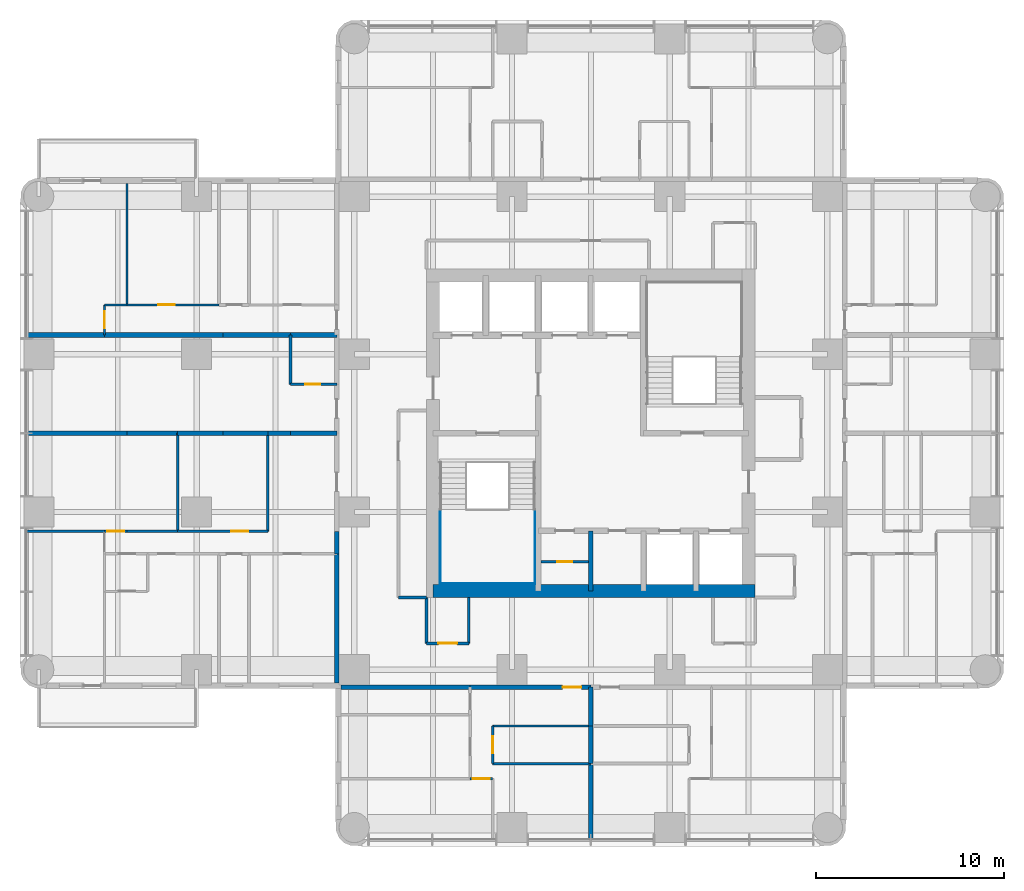
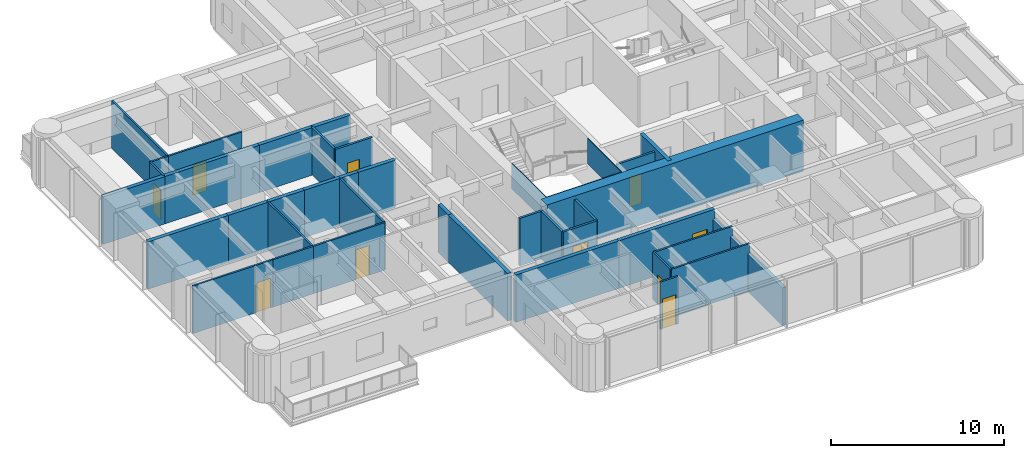
# One storey, part 5 of 11: 43 walls, 10 doors, 10 openings.
"""IFC4 building model written with IfcOpenShell, lengths in metres."""

from ifc_helpers import new_model, si_unit, direction, frame, frame_2d, origin, place, context, subcontext, project, spatial, rectangle, extrude, material, layer, layer_set, type_object, element, fill, save


model = new_model("IFC4")

# Units and contexts
model_context = context("Model", 3, precision=1e-05, world=origin(), true_north=direction((0.0, 1.0)))
body_context = subcontext(model_context, "Body", "Model", "MODEL_VIEW")
ifc_project = project(units=[si_unit("LENGTHUNIT", "METRE"), si_unit("AREAUNIT", "SQUARE_METRE"), si_unit("VOLUMEUNIT", "CUBIC_METRE"), si_unit("PLANEANGLEUNIT", "RADIAN"), si_unit("MASSUNIT", "GRAM", prefix="KILO")], contexts=[model_context])

# Site, building, storey
site_placement = place(None, origin())
site = spatial("IfcSite", under=ifc_project, at=site_placement, CompositionType="ELEMENT")
building_placement = place(site_placement, origin())
building = spatial("IfcBuilding", under=site, at=building_placement, Name="Torre Alcanfor", CompositionType="ELEMENT")
storey_placement = place(building_placement, frame((0.0, 0.0, 244.5)))
storey = spatial("IfcBuildingStorey", under=building, at=storey_placement, Name="L64", CompositionType="ELEMENT", Elevation=244.5)

# Wall, opening, door
ifc_material_1 = material(Name="Concrete block masonry, hollow blocks NMX-C-404 9 MPa", Category="masonry")
ifc_layer_1 = layer(ifc_material_1, 0.25)
ifc_layer_set_1 = layer_set([ifc_layer_1], Name="Apartment entrance wall 250 EI 60")
wall_type_1 = type_object("IfcWallType", Name="Apartment entrance wall 250 EI 60", PredefinedType="PARTITIONING", material=ifc_layer_set_1)
wall_1_placement = place(storey_placement, frame((29.39990234375, 15.875, 0.0), z_axis=(0.0, 0.0, 1.0), x_axis=(-1.0, 0.0, 0.0)))
wall_1 = element("IfcWall", 1, at=wall_1_placement, inside=storey, type_object=wall_type_1, Name="Partition L64-CORR / L64-S2-LIVING", PredefinedType="PARTITIONING", context=body_context, shape_type="SweptSolid", body=[
    extrude(rectangle(XDim=6.428955078125, YDim=0.25, at=frame_2d((3.21435546875, 0.0))), origin(), (0.0, 0.0, 1.0), 3.35009765625),
])
opening_1_placement = place(wall_1_placement, frame((0.5, 0.0, 0.0)))
opening_1 = element("IfcOpeningElement", 2, at=opening_1_placement, cuts=wall_1, Name="Opening D-A1", PredefinedType="OPENING", context=body_context, shape_type="SweptSolid", body=[
    extrude(rectangle(XDim=1.0, YDim=2.10009765625, at=frame_2d((0.5, 1.050048828125))), frame((0.0, 0.135009765625, 0.0), z_axis=(0.0, -1.0, 0.0), x_axis=(1.0, 0.0, 0.0)), (0.0, 0.0, 1.0), 0.27001953125),
])
ifc_material_2 = material(Name="Galvanised steel sheet ASTM A653", Category="steel")
door_type_1 = type_object("IfcDoorType", Name="Apartment entrance door FD60 1000x2100", OperationType="SINGLE_SWING_LEFT", PredefinedType="DOOR", material=ifc_material_2)
door_1_placement = place(opening_1_placement, origin())
door_1 = element("IfcDoor", 3, at=door_1_placement, inside=storey, type_object=door_type_1, Name="Apartment entrance L64-S2", OperationType="SINGLE_SWING_LEFT", OverallHeight=2.10009765625, OverallWidth=1.0, PredefinedType="DOOR", context=body_context, shape_type="SweptSolid", body=[
    extrude(rectangle(XDim=1.0, YDim=2.10009765625, at=frame_2d((0.5, 1.050048828125))), frame((0.0, 0.02490234375, 0.0), z_axis=(0.0, -1.0, 0.0), x_axis=(1.0, 0.0, 0.0)), (0.0, 0.0, 1.0), 0.050048828125),
])
fill(opening_1, door_1)

# Walls
wall_2_placement = place(storey_placement, frame((22.970947265625, 15.875, 0.0), z_axis=(0.0, 0.0, 1.0), x_axis=(-1.0, 0.0, 0.0)))
element("IfcWall", 4, at=wall_2_placement, inside=storey, type_object=wall_type_1, Name="Partition L64-CORR / L64-S2-BATH", PredefinedType="PARTITIONING", context=body_context, shape_type="SweptSolid", body=[
    extrude(rectangle(XDim=6.870849609375, YDim=0.25, at=frame_2d((3.435546875, 0.0))), origin(), (0.0, 0.0, 1.0), 3.35009765625),
])
wall_3_placement = place(storey_placement, frame((15.875, 22.970947265625, 0.0), z_axis=(0.0, 0.0, 1.0), x_axis=(0.0, 1.0, 0.0)))
element("IfcWall", 5, at=wall_3_placement, inside=storey, type_object=wall_type_1, Name="Partition L64-CORR / L64-W1-HALL", PredefinedType="PARTITIONING", context=body_context, shape_type="SweptSolid", body=[
    extrude(rectangle(XDim=1.199951171875, YDim=0.25, at=frame_2d((0.60009765625, 0.0))), origin(), (0.0, 0.0, 1.0), 3.35009765625),
])
wall_4_placement = place(storey_placement, frame((15.875, 16.10009765625, 0.0), z_axis=(0.0, 0.0, 1.0), x_axis=(0.0, 1.0, 0.0)))
element("IfcWall", 6, at=wall_4_placement, inside=storey, type_object=wall_type_1, Name="Partition L64-CORR / L64-W1-BED2", PredefinedType="PARTITIONING", context=body_context, shape_type="SweptSolid", body=[
    extrude(rectangle(XDim=6.870849609375, YDim=0.25, at=frame_2d((3.435546875, 0.0))), origin(), (0.0, 0.0, 1.0), 3.35009765625),
])
ifc_material_3 = material(Name="Gypsum board on steel studs", Category="steel")
ifc_layer_2 = layer(ifc_material_3, 0.1201171875)
ifc_layer_set_2 = layer_set([ifc_layer_2], Name="Apartment partition 120")
wall_type_2 = type_object("IfcWallType", Name="Apartment partition 120", PredefinedType="PARTITIONING", material=ifc_layer_set_2)
wall_5_placement = place(storey_placement, frame((29.39990234375, 11.800048828125, 0.0), z_axis=(0.0, 0.0, 1.0), x_axis=(-1.0, 0.0, 0.0)))
element("IfcWall", 7, at=wall_5_placement, inside=storey, type_object=wall_type_2, Name="Partition L64-S2-KITCHEN / L64-S2-LIVING", PredefinedType="PARTITIONING", context=body_context, shape_type="SweptSolid", body=[
    extrude(rectangle(XDim=5.22900390625, YDim=0.1201171875, at=frame_2d((2.614501953125, 0.0))), origin(), (0.0, 0.0, 1.0), 3.35009765625),
])

# Wall, opening, door
wall_6_placement = place(storey_placement, frame((24.1708984375, 11.800048828125, 0.0), z_axis=(0.0, 0.0, 1.0), x_axis=(0.0, 1.0, 0.0)))
wall_6 = element("IfcWall", 8, at=wall_6_placement, inside=storey, type_object=wall_type_2, Name="Partition L64-S2-KITCHEN / L64-S2-LIVING", PredefinedType="PARTITIONING", context=body_context, shape_type="SweptSolid", body=[
    extrude(rectangle(XDim=2.0, YDim=0.1201171875, at=frame_2d((1.0, 0.0))), origin(), (0.0, 0.0, 1.0), 3.35009765625),
])
opening_2_placement = place(wall_6_placement, frame((0.550048828125, 0.0, 0.0)))
opening_2 = element("IfcOpeningElement", 9, at=opening_2_placement, cuts=wall_6, Name="Opening D-R1", PredefinedType="OPENING", context=body_context, shape_type="SweptSolid", body=[
    extrude(rectangle(XDim=0.89990234375, YDim=2.10009765625, at=frame_2d((0.449951171875, 1.050048828125))), frame((0.0, 0.070068359375, 0.0), z_axis=(0.0, -1.0, 0.0), x_axis=(1.0, 0.0, 0.0)), (0.0, 0.0, 1.0), 0.14013671875),
])
ifc_material_4 = material(Name="Timber", Category="wood")
door_type_2 = type_object("IfcDoorType", Name="Internal door 900x2100", OperationType="SINGLE_SWING_LEFT", PredefinedType="DOOR", material=ifc_material_4)
door_2_placement = place(opening_2_placement, frame((0.89990234375, 0.0, 0.0), z_axis=(0.0, 0.0, 1.0), x_axis=(-1.0, 0.0, 0.0)))
door_2 = element("IfcDoor", 10, at=door_2_placement, inside=storey, type_object=door_type_2, Name="Door L64-S2 kitchen", OperationType="SINGLE_SWING_RIGHT", OverallHeight=2.10009765625, OverallWidth=0.89990234375, PredefinedType="DOOR", context=body_context, shape_type="SweptSolid", body=[
    extrude(rectangle(XDim=0.89990234375, YDim=2.10009765625, at=frame_2d((0.449951171875, 1.050048828125))), frame((0.0, 0.025146484375, 0.0), z_axis=(0.0, -1.0, 0.0), x_axis=(1.0, 0.0, 0.0)), (0.0, 0.0, 1.0), 0.050048828125),
])
fill(opening_2, door_2)

# Wall
wall_7_placement = place(storey_placement, frame((24.1708984375, 13.800048828125, 0.0), z_axis=(0.0, 0.0, 1.0), x_axis=(1.0, 0.0, 0.0)))
element("IfcWall", 11, at=wall_7_placement, inside=storey, type_object=wall_type_2, Name="Partition L64-S2-KITCHEN / L64-S2-LIVING", PredefinedType="PARTITIONING", context=body_context, shape_type="SweptSolid", body=[
    extrude(rectangle(XDim=5.22900390625, YDim=0.1201171875, at=frame_2d((2.614501953125, 0.0))), origin(), (0.0, 0.0, 1.0), 3.35009765625),
])

# Wall, opening, door
wall_8_placement = place(storey_placement, frame((24.1708984375, 11.0, 0.0), z_axis=(0.0, 0.0, 1.0), x_axis=(-1.0, 0.0, 0.0)))
wall_8 = element("IfcWall", 12, at=wall_8_placement, inside=storey, type_object=wall_type_2, Name="Partition L64-S2-LIVING / L64-S2-MASTER", PredefinedType="PARTITIONING", context=body_context, shape_type="SweptSolid", body=[
    extrude(rectangle(XDim=1.199951171875, YDim=0.1201171875, at=frame_2d((0.60009765625, 0.0))), origin(), (0.0, 0.0, 1.0), 3.35009765625),
])
opening_3_placement = place(wall_8_placement, frame((0.15087890625, 0.0, 0.0)))
opening_3 = element("IfcOpeningElement", 13, at=opening_3_placement, cuts=wall_8, Name="Opening D-R1", PredefinedType="OPENING", context=body_context, shape_type="SweptSolid", body=[
    extrude(rectangle(XDim=0.89990234375, YDim=2.10009765625, at=frame_2d((0.449951171875, 1.050048828125))), frame((0.0, 0.070068359375, 0.0), z_axis=(0.0, -1.0, 0.0), x_axis=(1.0, 0.0, 0.0)), (0.0, 0.0, 1.0), 0.14013671875),
])
door_3_placement = place(opening_3_placement, origin())
door_3 = element("IfcDoor", 14, at=door_3_placement, inside=storey, type_object=door_type_2, Name="Door L64-S2 master", OperationType="SINGLE_SWING_LEFT", OverallHeight=2.10009765625, OverallWidth=0.89990234375, PredefinedType="DOOR", context=body_context, shape_type="SweptSolid", body=[
    extrude(rectangle(XDim=0.89990234375, YDim=2.10009765625, at=frame_2d((0.449951171875, 1.050048828125))), frame((0.0, 0.02490234375, 0.0), z_axis=(0.0, -1.0, 0.0), x_axis=(1.0, 0.0, 0.0)), (0.0, 0.0, 1.0), 0.050048828125),
])
fill(opening_3, door_3)

# Walls
for number, where, z_axis, x_axis, name in (
    (15, (12.199951171875, 29.39990234375, 0.0), (0.0, 0.0, 1.0), (0.0, -1.0, 0.0), "Partition L64-W1-ZAG / L64-W1-FAMILY"),
    (16, (7.39990234375, 29.39990234375, 0.0), (0.0, 0.0, 1.0), (0.0, -1.0, 0.0), "Partition L64-W1-FAMILY / L64-W1-KITCHEN"),
):
    element("IfcWall", number, at=place(storey_placement, frame(where, z_axis=z_axis, x_axis=x_axis)), inside=storey, type_object=wall_type_2, Name=name, PredefinedType="PARTITIONING", context=body_context, shape_type="SweptSolid", body=[
        extrude(rectangle(XDim=5.22900390625, YDim=0.1201171875, at=frame_2d((2.614501953125, 0.0))), origin(), (0.0, 0.0, 1.0), 3.35009765625),
    ])

# Wall, opening, door
wall_9_placement = place(storey_placement, frame((7.39990234375, 24.1708984375, 0.0), z_axis=(0.0, 0.0, 1.0), x_axis=(1.0, 0.0, 0.0)))
wall_9 = element("IfcWall", 17, at=wall_9_placement, inside=storey, type_object=wall_type_2, Name="Partition L64-W1-FAMILY / L64-W1-HALL", PredefinedType="PARTITIONING", context=body_context, shape_type="SweptSolid", body=[
    extrude(rectangle(XDim=4.800048828125, YDim=0.1201171875, at=frame_2d((2.39990234375, 0.0))), origin(), (0.0, 0.0, 1.0), 3.35009765625),
])
opening_4_placement = place(wall_9_placement, frame((2.85009765625, 0.0, 0.0)))
opening_4 = element("IfcOpeningElement", 18, at=opening_4_placement, cuts=wall_9, Name="Opening D-R1", PredefinedType="OPENING", context=body_context, shape_type="SweptSolid", body=[
    extrude(rectangle(XDim=0.89990234375, YDim=2.10009765625, at=frame_2d((0.449951171875, 1.050048828125))), frame((0.0, 0.070068359375, 0.0), z_axis=(0.0, -1.0, 0.0), x_axis=(1.0, 0.0, 0.0)), (0.0, 0.0, 1.0), 0.14013671875),
])
door_4_placement = place(opening_4_placement, origin())
door_4 = element("IfcDoor", 19, at=door_4_placement, inside=storey, type_object=door_type_2, Name="Door L64-W1 family", OperationType="SINGLE_SWING_RIGHT", OverallHeight=2.10009765625, OverallWidth=0.89990234375, PredefinedType="DOOR", context=body_context, shape_type="SweptSolid", body=[
    extrude(rectangle(XDim=0.89990234375, YDim=2.10009765625, at=frame_2d((0.449951171875, 1.050048828125))), frame((0.0, 0.02490234375, 0.0), z_axis=(0.0, -1.0, 0.0), x_axis=(1.0, 0.0, 0.0)), (0.0, 0.0, 1.0), 0.050048828125),
])
fill(opening_4, door_4)

# Wall
wall_10_placement = place(storey_placement, frame((4.699951171875, 24.1708984375, 0.0), z_axis=(0.0, 0.0, 1.0), x_axis=(1.0, 0.0, 0.0)))
element("IfcWall", 20, at=wall_10_placement, inside=storey, type_object=wall_type_2, Name="Partition L64-W1-KITCHEN / L64-W1-HALL", PredefinedType="PARTITIONING", context=body_context, shape_type="SweptSolid", body=[
    extrude(rectangle(XDim=2.699951171875, YDim=0.1201171875, at=frame_2d((1.35009765625, 0.0))), origin(), (0.0, 0.0, 1.0), 3.35009765625),
])

# Wall, opening, door
wall_11_placement = place(storey_placement, frame((3.5, 24.1708984375, 0.0), z_axis=(0.0, 0.0, 1.0), x_axis=(1.0, 0.0, 0.0)))
wall_11 = element("IfcWall", 21, at=wall_11_placement, inside=storey, type_object=wall_type_2, Name="Partition L64-W1-LIVING / L64-W1-HALL", PredefinedType="PARTITIONING", context=body_context, shape_type="SweptSolid", body=[
    extrude(rectangle(XDim=1.199951171875, YDim=0.1201171875, at=frame_2d((0.60009765625, 0.0))), origin(), (0.0, 0.0, 1.0), 3.35009765625),
])
opening_5_placement = place(wall_11_placement, frame((0.14990234375, 0.0, 0.0)))
opening_5 = element("IfcOpeningElement", 22, at=opening_5_placement, cuts=wall_11, Name="Opening D-R1", PredefinedType="OPENING", context=body_context, shape_type="SweptSolid", body=[
    extrude(rectangle(XDim=0.89990234375, YDim=2.10009765625, at=frame_2d((0.449951171875, 1.050048828125))), frame((0.0, 0.070068359375, 0.0), z_axis=(0.0, -1.0, 0.0), x_axis=(1.0, 0.0, 0.0)), (0.0, 0.0, 1.0), 0.14013671875),
])
door_5_placement = place(opening_5_placement, origin())
door_5 = element("IfcDoor", 23, at=door_5_placement, inside=storey, type_object=door_type_2, Name="Door L64-W1 living", OperationType="SINGLE_SWING_RIGHT", OverallHeight=2.10009765625, OverallWidth=0.89990234375, PredefinedType="DOOR", context=body_context, shape_type="SweptSolid", body=[
    extrude(rectangle(XDim=0.89990234375, YDim=2.10009765625, at=frame_2d((0.449951171875, 1.050048828125))), frame((0.0, 0.02490234375, 0.0), z_axis=(0.0, -1.0, 0.0), x_axis=(1.0, 0.0, 0.0)), (0.0, 0.0, 1.0), 0.050048828125),
])
fill(opening_5, door_5)

# Wall
wall_12_placement = place(storey_placement, frame((-0.64990234375, 24.1708984375, 0.0), z_axis=(0.0, 0.0, 1.0), x_axis=(1.0, 0.0, 0.0)))
element("IfcWall", 24, at=wall_12_placement, inside=storey, type_object=wall_type_2, Name="Partition L64-W1-LIVING / L64-W1-WGARD", PredefinedType="PARTITIONING", context=body_context, shape_type="SweptSolid", body=[
    extrude(rectangle(XDim=4.14990234375, YDim=0.1201171875, at=frame_2d((2.074951171875, 0.0))), origin(), (0.0, 0.0, 1.0), 3.35009765625),
])

# Wall, opening, door
wall_13_placement = place(storey_placement, frame((4.699951171875, 36.22900390625, 0.0), z_axis=(0.0, 0.0, 1.0), x_axis=(1.0, 0.0, 0.0)))
wall_13 = element("IfcWall", 25, at=wall_13_placement, inside=storey, type_object=wall_type_2, Name="Partition L64-W2B-HALL / L64-W2B-MASTER", PredefinedType="PARTITIONING", context=body_context, shape_type="SweptSolid", body=[
    extrude(rectangle(XDim=4.900146484375, YDim=0.1201171875, at=frame_2d((2.4501953125, 0.0))), origin(), (0.0, 0.0, 1.0), 3.35009765625),
])
opening_6_placement = place(wall_13_placement, frame((1.64990234375, 0.0, 0.0)))
opening_6 = element("IfcOpeningElement", 26, at=opening_6_placement, cuts=wall_13, Name="Opening D-R1", PredefinedType="OPENING", context=body_context, shape_type="SweptSolid", body=[
    extrude(rectangle(XDim=0.89990234375, YDim=2.10009765625, at=frame_2d((0.449951171875, 1.050048828125))), frame((0.0, 0.070068359375, 0.0), z_axis=(0.0, -1.0, 0.0), x_axis=(1.0, 0.0, 0.0)), (0.0, 0.0, 1.0), 0.14013671875),
])
door_6_placement = place(opening_6_placement, origin())
door_6 = element("IfcDoor", 27, at=door_6_placement, inside=storey, type_object=door_type_2, Name="Door L64-W2B master", OperationType="SINGLE_SWING_LEFT", OverallHeight=2.10009765625, OverallWidth=0.89990234375, PredefinedType="DOOR", context=body_context, shape_type="SweptSolid", body=[
    extrude(rectangle(XDim=0.89990234375, YDim=2.10009765625, at=frame_2d((0.449951171875, 1.050048828125))), frame((0.0, 0.02490234375, 0.0), z_axis=(0.0, -1.0, 0.0), x_axis=(1.0, 0.0, 0.0)), (0.0, 0.0, 1.0), 0.050048828125),
])
fill(opening_6, door_6)

# Wall
wall_14_placement = place(storey_placement, frame((3.5, 36.22900390625, 0.0), z_axis=(0.0, 0.0, 1.0), x_axis=(1.0, 0.0, 0.0)))
element("IfcWall", 28, at=wall_14_placement, inside=storey, type_object=wall_type_2, Name="Partition L64-W2B-HALL / L64-W2B-KITCHEN", PredefinedType="PARTITIONING", context=body_context, shape_type="SweptSolid", body=[
    extrude(rectangle(XDim=1.199951171875, YDim=0.1201171875, at=frame_2d((0.60009765625, 0.0))), origin(), (0.0, 0.0, 1.0), 3.35009765625),
])

# Wall, opening, door
wall_15_placement = place(storey_placement, frame((3.5, 34.62890625, 0.0), z_axis=(0.0, 0.0, 1.0), x_axis=(0.0, 1.0, 0.0)))
wall_15 = element("IfcWall", 29, at=wall_15_placement, inside=storey, type_object=wall_type_2, Name="Partition L64-W2B-HALL / L64-W2B-LIVING", PredefinedType="PARTITIONING", context=body_context, shape_type="SweptSolid", body=[
    extrude(rectangle(XDim=1.60009765625, YDim=0.1201171875, at=frame_2d((0.800048828125, 0.0))), origin(), (0.0, 0.0, 1.0), 3.35009765625),
])
opening_7_placement = place(wall_15_placement, frame((0.35009765625, 0.0, 0.0)))
opening_7 = element("IfcOpeningElement", 30, at=opening_7_placement, cuts=wall_15, Name="Opening D-R1", PredefinedType="OPENING", context=body_context, shape_type="SweptSolid", body=[
    extrude(rectangle(XDim=0.89990234375, YDim=2.10009765625, at=frame_2d((0.449951171875, 1.050048828125))), frame((0.0, 0.070068359375, 0.0), z_axis=(0.0, -1.0, 0.0), x_axis=(1.0, 0.0, 0.0)), (0.0, 0.0, 1.0), 0.14013671875),
])
door_7_placement = place(opening_7_placement, origin())
door_7 = element("IfcDoor", 31, at=door_7_placement, inside=storey, type_object=door_type_2, Name="Door L64-W2B living", OperationType="SINGLE_SWING_LEFT", OverallHeight=2.10009765625, OverallWidth=0.89990234375, PredefinedType="DOOR", context=body_context, shape_type="SweptSolid", body=[
    extrude(rectangle(XDim=0.89990234375, YDim=2.10009765625, at=frame_2d((0.449951171875, 1.050048828125))), frame((0.0, 0.02490234375, 0.0), z_axis=(0.0, -1.0, 0.0), x_axis=(1.0, 0.0, 0.0)), (0.0, 0.0, 1.0), 0.050048828125),
])
fill(opening_7, door_7)

# Walls
wall_16_placement = place(storey_placement, frame((4.699951171875, 36.22900390625, 0.0), z_axis=(0.0, 0.0, 1.0), x_axis=(0.0, 1.0, 0.0)))
element("IfcWall", 32, at=wall_16_placement, inside=storey, type_object=wall_type_2, Name="Partition L64-W2B-MASTER / L64-W2B-KITCHEN", PredefinedType="PARTITIONING", context=body_context, shape_type="SweptSolid", body=[
    extrude(rectangle(XDim=6.470947265625, YDim=0.1201171875, at=frame_2d((3.2353515625, 0.0))), origin(), (0.0, 0.0, 1.0), 3.35009765625),
])
ifc_material_5 = material(Name="Concrete f'c 70 MPa", Category="concrete")
ifc_layer_3 = layer(ifc_material_5, 0.25)
ifc_layer_set_3 = layer_set([ifc_layer_3], Name="Core shaft wall 250 f'c70")
wall_type_3 = type_object("IfcWallType", Name="Core shaft wall 250 f'c70", PredefinedType="SHEAR", material=ifc_layer_set_3)
wall_17_placement = place(storey_placement, frame((29.39990234375, 21.0, 0.0), z_axis=(0.0, 0.0, 1.0), x_axis=(0.0, 1.0, 0.0)))
element("IfcWall", 33, at=wall_17_placement, inside=storey, type_object=wall_type_3, Name="Core wall X294S L64", PredefinedType="SHEAR", context=body_context, shape_type="SweptSolid", body=[
    extrude(rectangle(XDim=3.199951171875, YDim=0.25, at=frame_2d((1.60009765625, 0.0))), origin(), (0.0, 0.0, 1.0), 3.60009765625),
])
ifc_material_6 = material(Name="Concrete f'c 70 MPa", Category="concrete")
ifc_layer_4 = layer(ifc_material_6, 0.699951171875)
ifc_layer_set_4 = layer_set([ifc_layer_4], Name="Core wall 700 f'c70")
wall_type_4 = type_object("IfcWallType", Name="Core wall 700 f'c70", PredefinedType="SHEAR", material=ifc_layer_set_4)
wall_18_placement = place(storey_placement, frame((21.0, 21.0, 0.0), z_axis=(0.0, 0.0, 1.0), x_axis=(1.0, 0.0, 0.0)))
element("IfcWall", 34, at=wall_18_placement, inside=storey, type_object=wall_type_4, Name="Core wall OUT-S L64", PredefinedType="SHEAR", context=body_context, shape_type="SweptSolid", body=[
    extrude(rectangle(XDim=17.14990234375, YDim=0.699951171875, at=frame_2d((8.574951171875, 0.0))), origin(), (0.0, 0.0, 1.0), 3.60009765625),
])
ifc_material_7 = material(Name="Concrete block masonry, hollow blocks NMX-C-404 9 MPa", Category="masonry")
ifc_layer_5 = layer(ifc_material_7, 0.25)
ifc_layer_set_5 = layer_set([ifc_layer_5], Name="Party wall 250 EI 60")
wall_type_5 = type_object("IfcWallType", Name="Party wall 250 EI 60", PredefinedType="PARTITIONING", material=ifc_layer_set_5)
wall_19_placement = place(storey_placement, frame((29.39990234375, 13.800048828125, 0.0), z_axis=(0.0, 0.0, 1.0), x_axis=(0.0, -1.0, 0.0)))
element("IfcWall", 35, at=wall_19_placement, inside=storey, type_object=wall_type_5, Name="Partition L64-S1-BATH / L64-S2-KITCHEN", PredefinedType="PARTITIONING", context=body_context, shape_type="SweptSolid", body=[
    extrude(rectangle(XDim=2.0, YDim=0.25, at=frame_2d((1.0, 0.0))), origin(), (0.0, 0.0, 1.0), 2.666748046875),
])
wall_20_placement = place(storey_placement, frame((29.39990234375, 7.75, 0.0), z_axis=(0.0, 0.0, 1.0), x_axis=(0.0, 1.0, 0.0)))
element("IfcWall", 36, at=wall_20_placement, inside=storey, type_object=wall_type_5, Name="Partition L64-S1-LIVING / L64-S2-LIVING", PredefinedType="PARTITIONING", context=body_context, shape_type="SweptSolid", body=[
    extrude(rectangle(XDim=4.050048828125, YDim=0.25, at=frame_2d((2.02490234375, 0.0))), origin(), (0.0, 0.0, 1.0), 2.666748046875),
])
wall_21_placement = place(storey_placement, frame((29.39990234375, 13.800048828125, 0.0), z_axis=(0.0, 0.0, 1.0), x_axis=(0.0, 1.0, 0.0)))
element("IfcWall", 37, at=wall_21_placement, inside=storey, type_object=wall_type_5, Name="Partition L64-S1-LIVING / L64-S2-LIVING", PredefinedType="PARTITIONING", context=body_context, shape_type="SweptSolid", body=[
    extrude(rectangle(XDim=2.074951171875, YDim=0.25, at=frame_2d((1.03759765625, 0.0))), origin(), (0.0, 0.0, 1.0), 2.666748046875),
])
wall_22_placement = place(storey_placement, frame((15.875, 29.39990234375, 0.0), z_axis=(0.0, 0.0, 1.0), x_axis=(-1.0, 0.0, 0.0)))
element("IfcWall", 38, at=wall_22_placement, inside=storey, type_object=wall_type_5, Name="Partition L64-W1-ZAG / L64-W2A-FOYER", PredefinedType="PARTITIONING", context=body_context, shape_type="SweptSolid", body=[
    extrude(rectangle(XDim=2.47509765625, YDim=0.25, at=frame_2d((1.237548828125, 0.0))), origin(), (0.0, 0.0, 1.0), 3.35009765625),
])
wall_23_placement = place(storey_placement, frame((13.39990234375, 29.39990234375, 0.0), z_axis=(0.0, 0.0, 1.0), x_axis=(-1.0, 0.0, 0.0)))
element("IfcWall", 39, at=wall_23_placement, inside=storey, type_object=wall_type_5, Name="Partition L64-W1-ZAG / L64-W2A-KITCHEN", PredefinedType="PARTITIONING", context=body_context, shape_type="SweptSolid", body=[
    extrude(rectangle(XDim=1.199951171875, YDim=0.25, at=frame_2d((0.60009765625, 0.0))), origin(), (0.0, 0.0, 1.0), 3.35009765625),
])
wall_24_placement = place(storey_placement, frame((12.199951171875, 29.39990234375, 0.0), z_axis=(0.0, 0.0, 1.0), x_axis=(-1.0, 0.0, 0.0)))
element("IfcWall", 40, at=wall_24_placement, inside=storey, type_object=wall_type_5, Name="Partition L64-W1-FAMILY / L64-W2A-KITCHEN", PredefinedType="PARTITIONING", context=body_context, shape_type="SweptSolid", body=[
    extrude(rectangle(XDim=2.39990234375, YDim=0.25, at=frame_2d((1.199951171875, 0.0))), origin(), (0.0, 0.0, 1.0), 3.35009765625),
])
wall_25_placement = place(storey_placement, frame((9.800048828125, 29.39990234375, 0.0), z_axis=(0.0, 0.0, 1.0), x_axis=(-1.0, 0.0, 0.0)))
element("IfcWall", 41, at=wall_25_placement, inside=storey, type_object=wall_type_5, Name="Partition L64-W1-FAMILY / L64-W2A-STUDIO", PredefinedType="PARTITIONING", context=body_context, shape_type="SweptSolid", body=[
    extrude(rectangle(XDim=2.400146484375, YDim=0.25, at=frame_2d((1.2001953125, 0.0))), origin(), (0.0, 0.0, 1.0), 3.35009765625),
])
wall_26_placement = place(storey_placement, frame((7.39990234375, 29.39990234375, 0.0), z_axis=(0.0, 0.0, 1.0), x_axis=(-1.0, 0.0, 0.0)))
element("IfcWall", 42, at=wall_26_placement, inside=storey, type_object=wall_type_5, Name="Partition L64-W1-KITCHEN / L64-W2A-STUDIO", PredefinedType="PARTITIONING", context=body_context, shape_type="SweptSolid", body=[
    extrude(rectangle(XDim=2.699951171875, YDim=0.25, at=frame_2d((1.35009765625, 0.0))), origin(), (0.0, 0.0, 1.0), 3.35009765625),
])
wall_27_placement = place(storey_placement, frame((4.699951171875, 29.39990234375, 0.0), z_axis=(0.0, 0.0, 1.0), x_axis=(-1.0, 0.0, 0.0)))
element("IfcWall", 43, at=wall_27_placement, inside=storey, type_object=wall_type_5, Name="Partition L64-W1-LIVING / L64-W2A-STUDIO", PredefinedType="PARTITIONING", context=body_context, shape_type="SweptSolid", body=[
    extrude(rectangle(XDim=5.349853515625, YDim=0.25, at=frame_2d((2.6748046875, 0.0))), origin(), (0.0, 0.0, 1.0), 3.35009765625),
])
wall_28_placement = place(storey_placement, frame((13.39990234375, 34.62890625, 0.0), z_axis=(0.0, 0.0, 1.0), x_axis=(1.0, 0.0, 0.0)))
element("IfcWall", 44, at=wall_28_placement, inside=storey, type_object=wall_type_5, Name="Partition L64-W2A-BATH / L64-W2B-HALL", PredefinedType="PARTITIONING", context=body_context, shape_type="SweptSolid", body=[
    extrude(rectangle(XDim=2.47509765625, YDim=0.25, at=frame_2d((1.237548828125, 0.0))), origin(), (0.0, 0.0, 1.0), 3.35009765625),
])
wall_29_placement = place(storey_placement, frame((9.800048828125, 34.62890625, 0.0), z_axis=(0.0, 0.0, 1.0), x_axis=(1.0, 0.0, 0.0)))
element("IfcWall", 45, at=wall_29_placement, inside=storey, type_object=wall_type_5, Name="Partition L64-W2A-KITCHEN / L64-W2B-HALL", PredefinedType="PARTITIONING", context=body_context, shape_type="SweptSolid", body=[
    extrude(rectangle(XDim=3.599853515625, YDim=0.25, at=frame_2d((1.7998046875, 0.0))), origin(), (0.0, 0.0, 1.0), 3.35009765625),
])
wall_30_placement = place(storey_placement, frame((3.5, 34.62890625, 0.0), z_axis=(0.0, 0.0, 1.0), x_axis=(1.0, 0.0, 0.0)))
element("IfcWall", 46, at=wall_30_placement, inside=storey, type_object=wall_type_5, Name="Partition L64-W2A-STUDIO / L64-W2B-HALL", PredefinedType="PARTITIONING", context=body_context, shape_type="SweptSolid", body=[
    extrude(rectangle(XDim=6.300048828125, YDim=0.25, at=frame_2d((3.14990234375, 0.0))), origin(), (0.0, 0.0, 1.0), 3.35009765625),
])
wall_31_placement = place(storey_placement, frame((-0.64990234375, 34.62890625, 0.0), z_axis=(0.0, 0.0, 1.0), x_axis=(1.0, 0.0, 0.0)))
element("IfcWall", 47, at=wall_31_placement, inside=storey, type_object=wall_type_5, Name="Partition L64-W2A-STUDIO / L64-W2B-LIVING", PredefinedType="PARTITIONING", context=body_context, shape_type="SweptSolid", body=[
    extrude(rectangle(XDim=4.14990234375, YDim=0.25, at=frame_2d((2.074951171875, 0.0))), origin(), (0.0, 0.0, 1.0), 3.35009765625),
])
ifc_material_8 = material(Name="Concrete block masonry, hollow blocks NMX-C-404 9 MPa", Category="masonry")
ifc_layer_6 = layer(ifc_material_8, 0.14990234375)
ifc_layer_set_6 = layer_set([ifc_layer_6], Name="Residents' room partition 150")
wall_type_6 = type_object("IfcWallType", Name="Residents' room partition 150", PredefinedType="PARTITIONING", material=ifc_layer_set_6)
wall_32_placement = place(storey_placement, frame((20.64990234375, 20.64990234375, 0.0), z_axis=(0.0, 0.0, 1.0), x_axis=(0.0, -1.0, 0.0)))
element("IfcWall", 48, at=wall_32_placement, inside=storey, type_object=wall_type_6, Name="Partition L64-CORR / L64-G05", PredefinedType="PARTITIONING", context=body_context, shape_type="SweptSolid", body=[
    extrude(rectangle(XDim=2.449951171875, YDim=0.14990234375, at=frame_2d((1.22509765625, 0.0))), origin(), (0.0, 0.0, 1.0), 3.35009765625),
])

# Wall, opening, door
wall_33_placement = place(storey_placement, frame((20.64990234375, 18.199951171875, 0.0), z_axis=(0.0, 0.0, 1.0), x_axis=(1.0, 0.0, 0.0)))
wall_33 = element("IfcWall", 49, at=wall_33_placement, inside=storey, type_object=wall_type_6, Name="Partition L64-CORR / L64-G05", PredefinedType="PARTITIONING", context=body_context, shape_type="SweptSolid", body=[
    extrude(rectangle(XDim=2.25, YDim=0.14990234375, at=frame_2d((1.125, 0.0))), origin(), (0.0, 0.0, 1.0), 3.35009765625),
])
opening_8_placement = place(wall_33_placement, frame((0.625, 0.0, 0.0)))
opening_8 = element("IfcOpeningElement", 50, at=opening_8_placement, cuts=wall_33, Name="Opening D-M1", PredefinedType="OPENING", context=body_context, shape_type="SweptSolid", body=[
    extrude(rectangle(XDim=1.0, YDim=2.10009765625, at=frame_2d((0.5, 1.050048828125))), frame((0.0, 0.0849609375, 0.0), z_axis=(0.0, -1.0, 0.0), x_axis=(1.0, 0.0, 0.0)), (0.0, 0.0, 1.0), 0.169921875),
])
ifc_material_9 = material(Name="Timber", Category="wood")
door_type_3 = type_object("IfcDoorType", Name="Residents' room door 1000x2100", OperationType="SINGLE_SWING_LEFT", PredefinedType="DOOR", material=ifc_material_9)
door_8_placement = place(opening_8_placement, origin())
door_8 = element("IfcDoor", 51, at=door_8_placement, inside=storey, type_object=door_type_3, Name="Door L64-G05 cleaners' store", OperationType="SINGLE_SWING_LEFT", OverallHeight=2.10009765625, OverallWidth=1.0, PredefinedType="DOOR", context=body_context, shape_type="SweptSolid", body=[
    extrude(rectangle(XDim=1.0, YDim=2.10009765625, at=frame_2d((0.5, 1.050048828125))), frame((0.0, 0.02490234375, 0.0), z_axis=(0.0, -1.0, 0.0), x_axis=(1.0, 0.0, 0.0)), (0.0, 0.0, 1.0), 0.050048828125),
])
fill(opening_8, door_8)

# Walls
wall_34_placement = place(storey_placement, frame((22.89990234375, 18.199951171875, 0.0), z_axis=(0.0, 0.0, 1.0), x_axis=(0.0, 1.0, 0.0)))
element("IfcWall", 52, at=wall_34_placement, inside=storey, type_object=wall_type_6, Name="Partition L64-CORR / L64-G05", PredefinedType="PARTITIONING", context=body_context, shape_type="SweptSolid", body=[
    extrude(rectangle(XDim=2.449951171875, YDim=0.14990234375, at=frame_2d((1.22509765625, 0.0))), origin(), (0.0, 0.0, 1.0), 3.35009765625),
])
wall_35_placement = place(storey_placement, frame((19.14990234375, 20.64990234375, 0.0), z_axis=(0.0, 0.0, 1.0), x_axis=(1.0, 0.0, 0.0)))
element("IfcWall", 53, at=wall_35_placement, inside=storey, type_object=wall_type_6, Name="Partition L64-CORR / L64-G07", PredefinedType="PARTITIONING", context=body_context, shape_type="SweptSolid", body=[
    extrude(rectangle(XDim=1.5, YDim=0.14990234375, at=frame_2d((0.75, 0.0))), origin(), (0.0, 0.0, 1.0), 3.35009765625),
])

# Wall, opening, door
wall_36_placement = place(storey_placement, frame((26.75, 22.550048828125, 0.0), z_axis=(0.0, 0.0, 1.0), x_axis=(1.0, 0.0, 0.0)))
wall_36 = element("IfcWall", 54, at=wall_36_placement, inside=storey, type_object=wall_type_6, Name="Partition L64-PA1R / L64-PA1C", PredefinedType="PARTITIONING", context=body_context, shape_type="SweptSolid", body=[
    extrude(rectangle(XDim=2.52490234375, YDim=0.14990234375, at=frame_2d((1.262451171875, 0.0))), origin(), (0.0, 0.0, 1.0), 3.35009765625),
])
opening_9_placement = place(wall_36_placement, frame((0.862548828125, 0.0, 0.0)))
opening_9 = element("IfcOpeningElement", 55, at=opening_9_placement, cuts=wall_36, Name="Opening D-R2", PredefinedType="OPENING", context=body_context, shape_type="SweptSolid", body=[
    extrude(rectangle(XDim=0.800048828125, YDim=2.10009765625, at=frame_2d((0.39990234375, 1.050048828125))), frame((0.0, 0.0849609375, 0.0), z_axis=(0.0, -1.0, 0.0), x_axis=(1.0, 0.0, 0.0)), (0.0, 0.0, 1.0), 0.169921875),
])
ifc_material_10 = material(Name="Timber", Category="wood")
door_type_4 = type_object("IfcDoorType", Name="Bathroom door 800x2100", OperationType="SINGLE_SWING_LEFT", PredefinedType="DOOR", material=ifc_material_10)
door_9_placement = place(opening_9_placement, frame((0.800048828125, 0.0, 0.0), z_axis=(0.0, 0.0, 1.0), x_axis=(-1.0, 0.0, 0.0)))
door_9 = element("IfcDoor", 56, at=door_9_placement, inside=storey, type_object=door_type_4, Name="Cleaners' cupboard door L64", OperationType="SINGLE_SWING_RIGHT", OverallHeight=2.10009765625, OverallWidth=0.800048828125, PredefinedType="DOOR", context=body_context, shape_type="SweptSolid", body=[
    extrude(rectangle(XDim=0.800048828125, YDim=2.10009765625, at=frame_2d((0.400146484375, 1.050048828125))), frame((0.0, 0.025146484375, 0.0), z_axis=(0.0, -1.0, 0.0), x_axis=(1.0, 0.0, 0.0)), (0.0, 0.0, 1.0), 0.050048828125),
])
fill(opening_9, door_9)

# Walls
ifc_material_11 = material(Name="Calcium silicate board", Category="masonry")
ifc_layer_7 = layer(ifc_material_11, 0.050048828125)
ifc_layer_set_7 = layer_set([ifc_layer_7], Name="Stair lining 50 EI 120")
wall_type_7 = type_object("IfcWallType", Name="Stair lining 50 EI 120", PredefinedType="PARTITIONING", material=ifc_layer_set_7)
wall_37_placement = place(storey_placement, frame((21.35009765625, 21.375, 1.800048828125), z_axis=(0.0, 0.0, 1.0), x_axis=(1.0, 0.0, 0.0)))
element("IfcWall", 57, at=wall_37_placement, inside=storey, type_object=wall_type_7, Name="Stair lining S1 L64 south end", PredefinedType="PARTITIONING", context=body_context, shape_type="SweptSolid", body=[
    extrude(rectangle(XDim=5.099853515625, YDim=0.050048828125, at=frame_2d((2.5498046875, 0.0))), origin(), (0.0, 0.0, 1.0), 1.800048828125),
])
for number, where, z_axis, x_axis, name in (
    (58, (21.375, 25.330078125, 1.800048828125), (0.0, 0.0, 1.0), (0.0, -1.0, 0.0), "Stair lining S1 L64 west side"),
    (59, (26.425048828125, 25.330078125, 1.800048828125), (0.0, 0.0, 1.0), (0.0, -1.0, 0.0), "Stair lining S1 L64 east side"),
):
    element("IfcWall", number, at=place(storey_placement, frame(where, z_axis=z_axis, x_axis=x_axis)), inside=storey, type_object=wall_type_7, Name=name, PredefinedType="PARTITIONING", context=body_context, shape_type="SweptSolid", body=[
        extrude(rectangle(XDim=3.93017578125, YDim=0.050048828125, at=frame_2d((1.965087890625, 0.0))), origin(), (0.0, 0.0, 1.0), 1.800048828125),
    ])

# Wall, opening, door
ifc_material_12 = material(Name="Cement board on steel studs", Category="steel")
ifc_layer_8 = layer(ifc_material_12, 0.14990234375)
ifc_layer_set_8 = layer_set([ifc_layer_8], Name="Wet area partition 150")
wall_type_8 = type_object("IfcWallType", Name="Wet area partition 150", PredefinedType="PARTITIONING", material=ifc_layer_set_8)
wall_38_placement = place(storey_placement, frame((13.39990234375, 32.0, 0.0), z_axis=(0.0, 0.0, 1.0), x_axis=(1.0, 0.0, 0.0)))
wall_38 = element("IfcWall", 60, at=wall_38_placement, inside=storey, type_object=wall_type_8, Name="Partition L64-W2A-FOYER / L64-W2A-BATH", PredefinedType="PARTITIONING", context=body_context, shape_type="SweptSolid", body=[
    extrude(rectangle(XDim=2.47509765625, YDim=0.14990234375, at=frame_2d((1.237548828125, 0.0))), origin(), (0.0, 0.0, 1.0), 3.35009765625),
])
opening_10_placement = place(wall_38_placement, frame((0.800048828125, 0.0, 0.0)))
opening_10 = element("IfcOpeningElement", 61, at=opening_10_placement, cuts=wall_38, Name="Opening D-R2", PredefinedType="OPENING", context=body_context, shape_type="SweptSolid", body=[
    extrude(rectangle(XDim=0.800048828125, YDim=2.10009765625, at=frame_2d((0.39990234375, 1.050048828125))), frame((0.0, 0.0849609375, 0.0), z_axis=(0.0, -1.0, 0.0), x_axis=(1.0, 0.0, 0.0)), (0.0, 0.0, 1.0), 0.169921875),
])
door_10_placement = place(opening_10_placement, origin())
door_10 = element("IfcDoor", 62, at=door_10_placement, inside=storey, type_object=door_type_4, Name="Door L64-W2A bath", OperationType="SINGLE_SWING_LEFT", OverallHeight=2.10009765625, OverallWidth=0.800048828125, PredefinedType="DOOR", context=body_context, shape_type="SweptSolid", body=[
    extrude(rectangle(XDim=0.800048828125, YDim=2.10009765625, at=frame_2d((0.39990234375, 1.050048828125))), frame((0.0, 0.02490234375, 0.0), z_axis=(0.0, -1.0, 0.0), x_axis=(1.0, 0.0, 0.0)), (0.0, 0.0, 1.0), 0.050048828125),
])
fill(opening_10, door_10)

# Wall
wall_39_placement = place(storey_placement, frame((13.39990234375, 32.0, 0.0), z_axis=(0.0, 0.0, 1.0), x_axis=(0.0, 1.0, 0.0)))
element("IfcWall", 63, at=wall_39_placement, inside=storey, type_object=wall_type_8, Name="Partition L64-W2A-BATH / L64-W2A-KITCHEN", PredefinedType="PARTITIONING", context=body_context, shape_type="SweptSolid", body=[
    extrude(rectangle(XDim=2.62890625, YDim=0.14990234375, at=frame_2d((1.314453125, 0.0))), origin(), (0.0, 0.0, 1.0), 3.35009765625),
])

save(model, "model.ifc")
